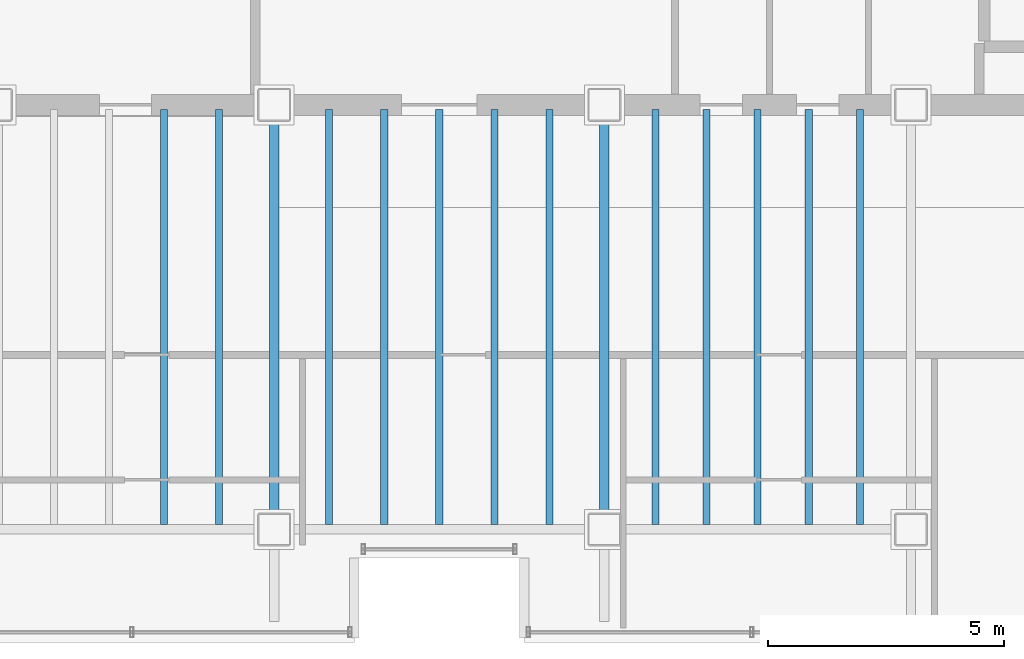
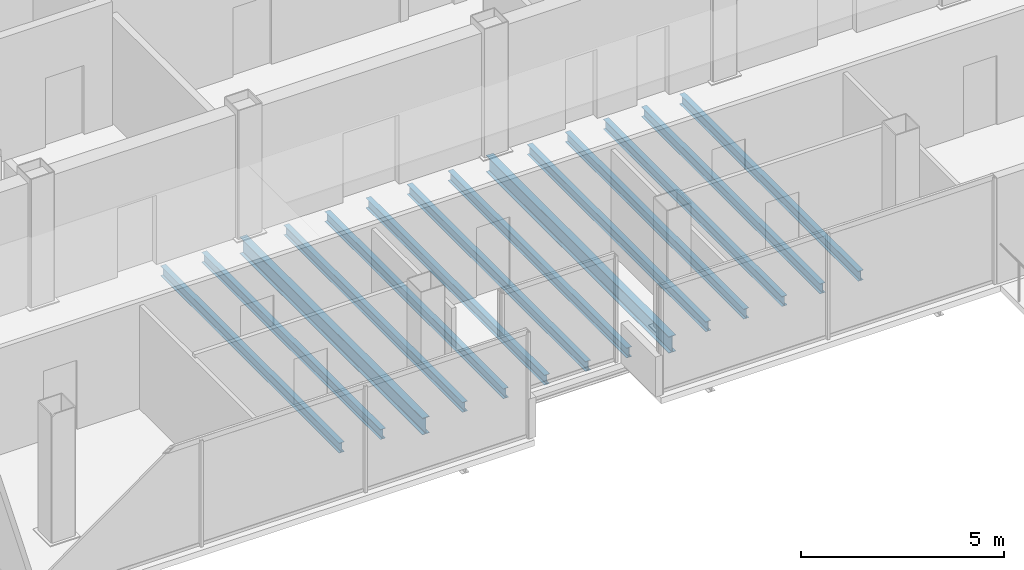
# One storey, part 7 of 17: 14 beams.
"""IFC4 building model written with IfcOpenShell, lengths in metres."""

from ifc_helpers import new_model, si_unit, direction, frame, origin, origin_2d, place, context, subcontext, project, spatial, i_section, extrude, material, material_profile, profile_set, type_object, element, save


model = new_model("IFC4")

# Units and contexts
model_context = context("Model", 3, precision=1e-05, world=origin(), true_north=direction((0.0, 1.0)))
body_context = subcontext(model_context, "Body", "Model", "MODEL_VIEW")
ifc_project = project(units=[si_unit("LENGTHUNIT", "METRE"), si_unit("AREAUNIT", "SQUARE_METRE"), si_unit("VOLUMEUNIT", "CUBIC_METRE"), si_unit("PLANEANGLEUNIT", "RADIAN"), si_unit("MASSUNIT", "GRAM", prefix="KILO")], contexts=[model_context])

# Site, building, storey
site_placement = place(None, origin())
site = spatial("IfcSite", under=ifc_project, at=site_placement, CompositionType="ELEMENT")
building_placement = place(site_placement, origin())
building = spatial("IfcBuilding", under=site, at=building_placement, Name="Noeulbin Bourse Tower", CompositionType="ELEMENT")
storey_placement = place(building_placement, frame((0.0, 0.0, 273.5)))
storey = spatial("IfcBuildingStorey", under=building, at=storey_placement, Name="L68", CompositionType="ELEMENT", Elevation=273.5)

# Beams
ifc_material = material(Name="Steel S355", Category="steel")
ifc_material_profile_1 = material_profile(ifc_material, i_section(OverallWidth=0.199951171875, OverallDepth=0.5, WebThickness=0.010009765625, FlangeThickness=0.01611328125, FilletRadius=0.02001953125, at=origin_2d()), Name="H-500x200x10x16", Category="LoadBearing")
ifc_profile_set_1 = profile_set([ifc_material_profile_1], Name="Steel S355")
beam_type_1 = type_object("IfcBeamType", Name="BM-GRD-500", PredefinedType="USERDEFINED", material=ifc_profile_set_1)
for number, where, z_axis, x_axis, name in (
    (1, (24.0, 20.0, -0.429931640625), (0.0, 1.0, 0.0), (-1.0, 0.0, 0.0), "Tower Primary Girder NS L68-2.2"),
    (2, (31.0, 20.0, -0.429931640625), (0.0, 1.0, 0.0), (-1.0, 0.0, 0.0), "Tower Primary Girder NS L68-3.2"),
):
    element("IfcBeam", number, at=place(storey_placement, frame(where, z_axis=z_axis, x_axis=x_axis)), inside=storey, type_object=beam_type_1, Name=name, ObjectType="GIRDER", PredefinedType="USERDEFINED", context=body_context, shape_type="SweptSolid", body=[
        extrude(i_section(OverallWidth=0.199951171875, OverallDepth=0.5, WebThickness=0.010009765625, FlangeThickness=0.01611328125, FilletRadius=0.02001953125, at=origin_2d()), origin(), (0.0, 0.0, 1.0), 9.0),
    ])
ifc_material_profile_2 = material_profile(ifc_material, i_section(OverallWidth=0.14990234375, OverallDepth=0.300048828125, WebThickness=0.006591796875, FlangeThickness=0.009033203125, FilletRadius=0.012939453125, at=origin_2d()), Name="H-300x150x6.5x9", Category="LoadBearing")
ifc_profile_set_2 = profile_set([ifc_material_profile_2], Name="Steel S355")
beam_type_2 = type_object("IfcBeamType", Name="BM-JST-300", PredefinedType="JOIST", material=ifc_profile_set_2)
for number, where, z_axis, x_axis, name in (
    (3, (21.666748046875, 20.10009765625, -0.330078125), (0.0, 1.0, 0.0), (-1.0, 0.0, 0.0), "Tower Composite Joist L68-13"),
    (4, (22.833251953125, 20.10009765625, -0.330078125), (0.0, 1.0, 0.0), (-1.0, 0.0, 0.0), "Tower Composite Joist L68-15"),
    (5, (25.166748046875, 20.10009765625, -0.330078125), (0.0, 1.0, 0.0), (-1.0, 0.0, 0.0), "Tower Composite Joist L68-17"),
    (6, (26.333251953125, 20.10009765625, -0.330078125), (0.0, 1.0, 0.0), (-1.0, 0.0, 0.0), "Tower Composite Joist L68-19"),
    (7, (27.5, 20.10009765625, -0.330078125), (0.0, 1.0, 0.0), (-1.0, 0.0, 0.0), "Tower Composite Joist L68-21"),
    (8, (28.666748046875, 20.10009765625, -0.330078125), (0.0, 1.0, 0.0), (-1.0, 0.0, 0.0), "Tower Composite Joist L68-23"),
    (9, (29.833251953125, 20.10009765625, -0.330078125), (0.0, 1.0, 0.0), (-1.0, 0.0, 0.0), "Tower Composite Joist L68-25"),
    (10, (32.083251953125, 20.10009765625, -0.330078125), (0.0, 1.0, 0.0), (-1.0, 0.0, 0.0), "Tower Composite Joist L68-27"),
    (11, (33.166748046875, 20.10009765625, -0.330078125), (0.0, 1.0, 0.0), (-1.0, 0.0, 0.0), "Tower Composite Joist L68-29"),
    (12, (34.25, 20.10009765625, -0.330078125), (0.0, 1.0, 0.0), (-1.0, 0.0, 0.0), "Tower Composite Joist L68-31"),
    (13, (35.333251953125, 20.10009765625, -0.330078125), (0.0, 1.0, 0.0), (-1.0, 0.0, 0.0), "Tower Composite Joist L68-33"),
    (14, (36.416748046875, 20.10009765625, -0.330078125), (0.0, 1.0, 0.0), (-1.0, 0.0, 0.0), "Tower Composite Joist L68-35"),
):
    element("IfcBeam", number, at=place(storey_placement, frame(where, z_axis=z_axis, x_axis=x_axis)), inside=storey, type_object=beam_type_2, Name=name, PredefinedType="JOIST", context=body_context, shape_type="SweptSolid", body=[
        extrude(i_section(OverallWidth=0.14990234375, OverallDepth=0.300048828125, WebThickness=0.006591796875, FlangeThickness=0.009033203125, FilletRadius=0.012939453125, at=origin_2d()), origin(), (0.0, 0.0, 1.0), 8.7998046875),
    ])

save(model, "model.ifc")
